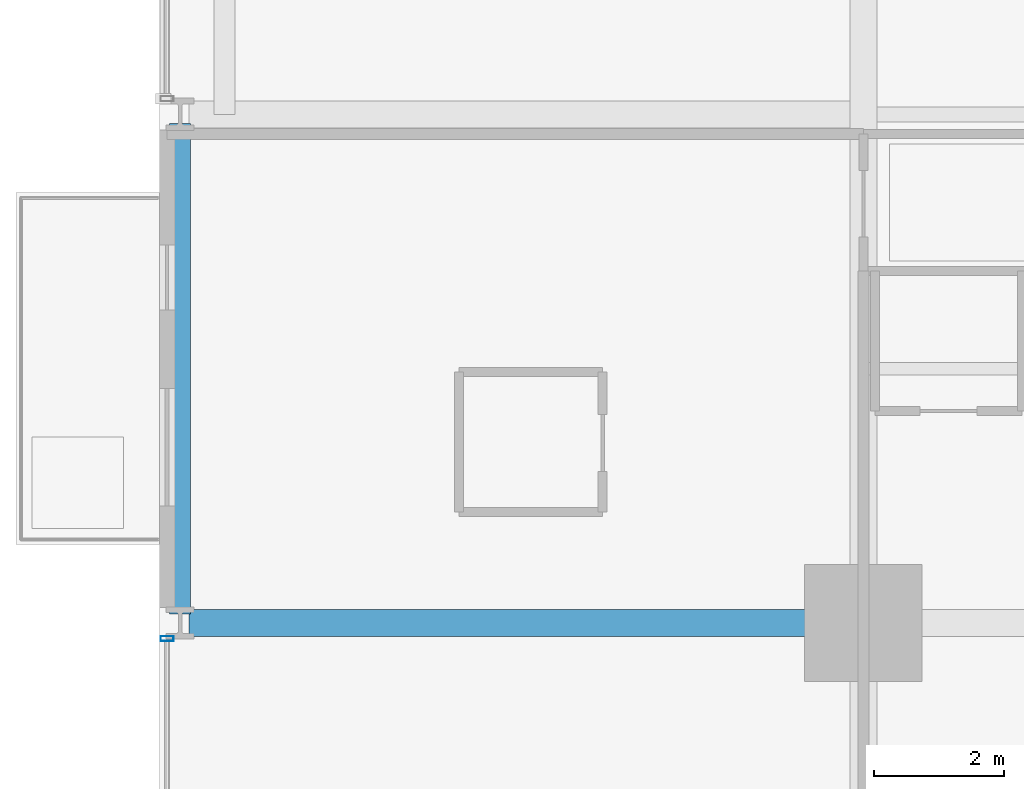
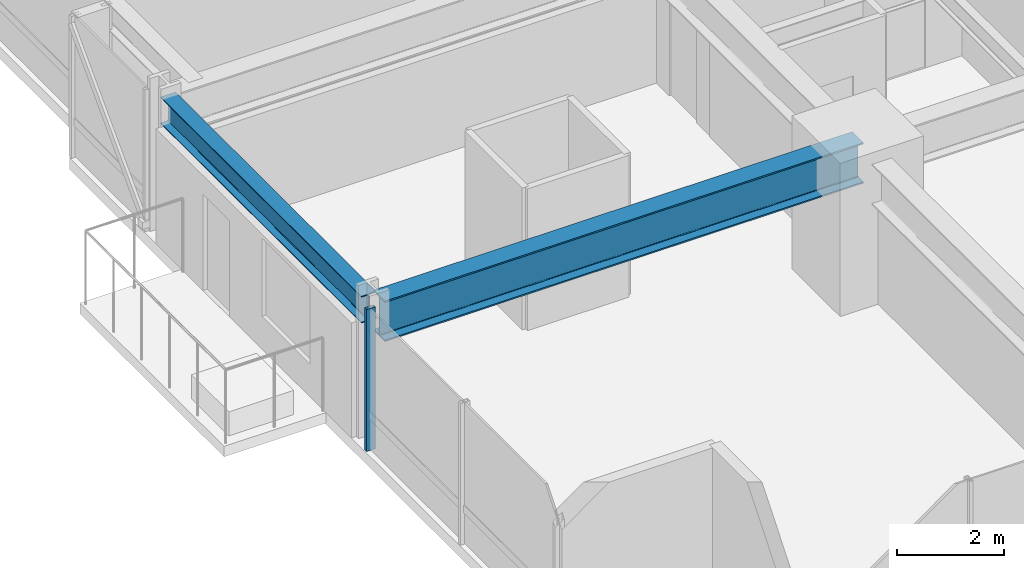
# One storey, part 4 of 39: 2 beams, 1 member, 1 element without a shape of its own.
"""IFC4 building model written with IfcOpenShell, lengths in metres."""

from ifc_helpers import new_model, si_unit, direction, frame, origin, origin_2d, place, context, subcontext, project, spatial, hollow_rectangle, i_section, extrude, material, layer, layer_set, material_profile, profile_set, type_object, element, aggregate, save


model = new_model("IFC4")

# Units and contexts
model_context = context("Model", 3, precision=1e-05, world=origin(), true_north=direction((0.0, 1.0)))
body_context = subcontext(model_context, "Body", "Model", "MODEL_VIEW")
ifc_project = project(units=[si_unit("LENGTHUNIT", "METRE"), si_unit("AREAUNIT", "SQUARE_METRE"), si_unit("VOLUMEUNIT", "CUBIC_METRE"), si_unit("PLANEANGLEUNIT", "RADIAN"), si_unit("MASSUNIT", "GRAM", prefix="KILO")], contexts=[model_context])

# Site, building, storey
site_placement = place(None, origin())
site = spatial("IfcSite", under=ifc_project, at=site_placement, CompositionType="ELEMENT")
building_placement = place(site_placement, origin())
building = spatial("IfcBuilding", under=site, at=building_placement, Name="Drelvath Grand Hotel", CompositionType="ELEMENT")
storey_placement = place(building_placement, frame((0.0, 0.0, 40.199951171875)))
storey = spatial("IfcBuildingStorey", under=building, at=storey_placement, Name="L08", CompositionType="ELEMENT", Elevation=40.199951171875)

# Curtain wall, member
ifc_material_1 = material(Name="Warm Bronze Anodised Aluminium Frame", Category="aluminium")
ifc_layer = layer(ifc_material_1, 0.199951171875)
ifc_layer_set = layer_set([ifc_layer], Name="Warm Bronze Anodised Aluminium Frame")
curtain_wall_type = type_object("IfcCurtainWallType", Name="Stick Curtain Wall CW-02 Warm Bronze Low-Rise", PredefinedType="NOTDEFINED", material=ifc_layer_set)
curtain_wall_placement = place(storey_placement, origin())
curtain_wall = element("IfcCurtainWall", 1, at=curtain_wall_placement, inside=storey, type_object=curtain_wall_type, Name="L08 CW-02 Curtain Wall CW02-L08-WS1", PredefinedType="NOTDEFINED")
ifc_material_profile_1 = material_profile(ifc_material_1, hollow_rectangle(XDim=0.080078125, YDim=0.199951171875, WallThickness=0.0048828125, at=origin_2d()), Name="HSS200X80X5")
ifc_profile_set_1 = profile_set([ifc_material_profile_1], Name="Warm Bronze Anodised Aluminium Frame")
member_type = type_object("IfcMemberType", Name="Curtain Wall Vertical Mullion CW-02 HSS200X80X5", PredefinedType="MULLION", material=ifc_profile_set_1)
member_placement = place(storey_placement, frame((-26.8798828125, 10.55908203125, 0.0), z_axis=(0.0, 0.0, 1.0), x_axis=(0.0, 1.0, 0.0)))
member = element("IfcMember", 2, at=member_placement, type_object=member_type, Name="CW02-L08-WS1 Mullion 3", PredefinedType="MULLION", context=body_context, shape_type="SweptSolid", body=[
    extrude(hollow_rectangle(XDim=0.080078125, YDim=0.199951171875, WallThickness=0.0048828125, at=origin_2d()), origin(), (0.0, 0.0, 1.0), 3.239990234375),
])
aggregate(curtain_wall, [member])

# Beams
ifc_material_2 = material(Name="Steel ASTM A992 Gr 50", Category="steel")
ifc_material_profile_2 = material_profile(ifc_material_2, i_section(OverallWidth=0.323974609375, OverallDepth=0.611083984375, WebThickness=0.0126953125, FlangeThickness=0.01904296875, FilletRadius=0.02197265625, at=origin_2d()), Name="W24X104")
ifc_profile_set_2 = profile_set([ifc_material_profile_2], Name="Steel ASTM A992 Gr 50")
beam_type_1 = type_object("IfcBeamType", Name="Perimeter Spandrel Beam W24X104", PredefinedType="SPANDREL", material=ifc_profile_set_2)
beam_1_placement = place(storey_placement, frame((-26.679931640625, 10.93994140625, 2.9345703125), z_axis=(0.0, 1.0, 0.0), x_axis=(-1.0, 0.0, 0.0)))
element("IfcBeam", 3, at=beam_1_placement, inside=storey, type_object=beam_type_1, Name="L08 Spandrel West S", PredefinedType="SPANDREL", context=body_context, shape_type="SweptSolid", body=[
    extrude(i_section(OverallWidth=0.323974609375, OverallDepth=0.611083984375, WebThickness=0.0126953125, FlangeThickness=0.01904296875, FilletRadius=0.02197265625, at=origin_2d()), origin(), (0.0, 0.0, 1.0), 7.52001953125),
])
ifc_material_profile_3 = material_profile(ifc_material_2, i_section(OverallWidth=0.418212890625, OverallDepth=0.926513671875, WebThickness=0.019287109375, FlangeThickness=0.031982421875, FilletRadius=0.028076171875, at=origin_2d()), Name="W36X231")
ifc_profile_set_3 = profile_set([ifc_material_profile_3], Name="Steel ASTM A992 Gr 50")
beam_type_2 = type_object("IfcBeamType", Name="Primary Floor Girder W36X231", PredefinedType="BEAM", material=ifc_profile_set_3)
beam_2_placement = place(storey_placement, frame((-26.5400390625, 10.800048828125, 2.77685546875), z_axis=(1.0, 0.0, 0.0), x_axis=(0.0, 1.0, 0.0)))
element("IfcBeam", 4, at=beam_2_placement, inside=storey, type_object=beam_type_2, Name="L08 West Grid Girder C", PredefinedType="BEAM", context=body_context, shape_type="SweptSolid", body=[
    extrude(i_section(OverallWidth=0.418212890625, OverallDepth=0.926513671875, WebThickness=0.019287109375, FlangeThickness=0.031982421875, FilletRadius=0.028076171875, at=origin_2d()), origin(), (0.0, 0.0, 1.0), 10.340087890625),
])

save(model, "model.ifc")
